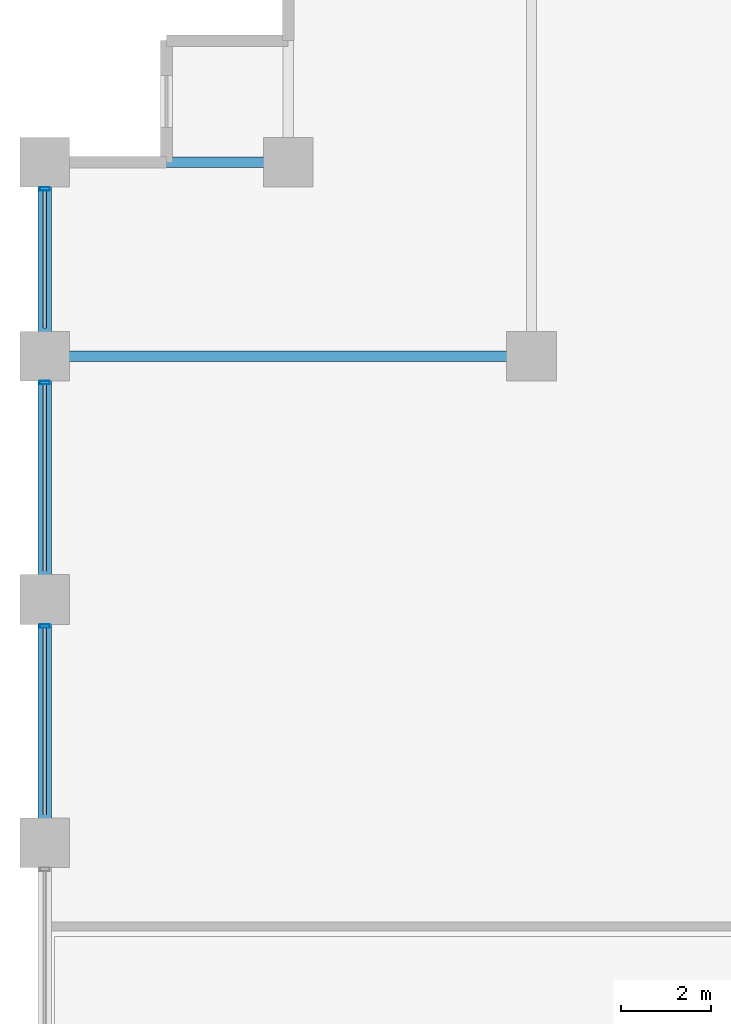
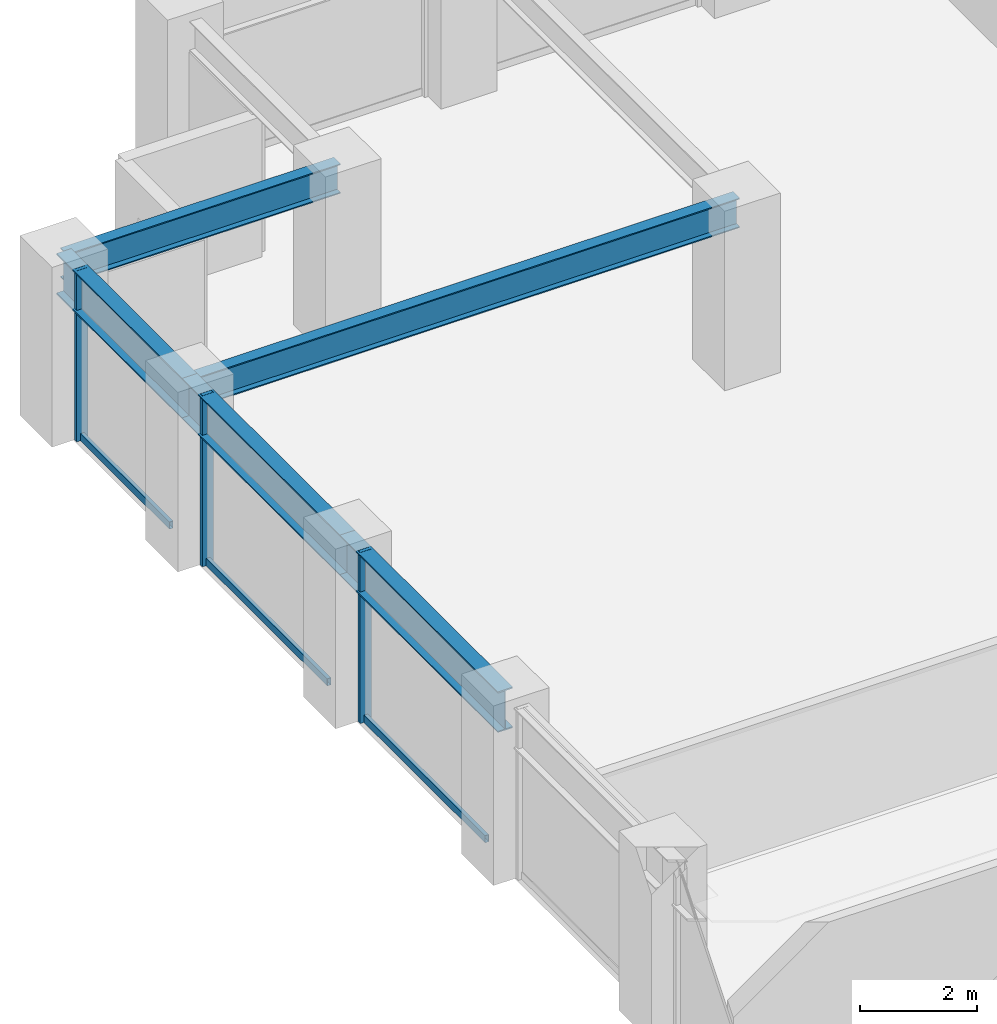
# One storey, part 10 of 25: 6 members, 5 beams, 1 element without a shape of its own.
"""IFC4 building model written with IfcOpenShell, lengths in metres."""

from ifc_helpers import new_model, si_unit, direction, frame, origin, origin_2d, place, context, subcontext, project, spatial, hollow_rectangle, i_section, extrude, material, layer, layer_set, material_profile, profile_set, type_object, element, aggregate, save


model = new_model("IFC4")

# Units and contexts
model_context = context("Model", 3, precision=1e-05, world=origin(), true_north=direction((0.0, 1.0)))
body_context = subcontext(model_context, "Body", "Model", "MODEL_VIEW")
ifc_project = project(units=[si_unit("LENGTHUNIT", "METRE"), si_unit("AREAUNIT", "SQUARE_METRE"), si_unit("VOLUMEUNIT", "CUBIC_METRE"), si_unit("PLANEANGLEUNIT", "RADIAN"), si_unit("MASSUNIT", "GRAM", prefix="KILO")], contexts=[model_context])

# Site, building, storey
site_placement = place(None, origin())
site = spatial("IfcSite", under=ifc_project, at=site_placement, CompositionType="ELEMENT")
building_placement = place(site_placement, origin())
building = spatial("IfcBuilding", under=site, at=building_placement, Name="Surkhivell Harbour Commons", CompositionType="ELEMENT")
storey_placement = place(building_placement, frame((0.0, 0.0, 117.0)))
storey = spatial("IfcBuildingStorey", under=building, at=storey_placement, Name="L30", CompositionType="ELEMENT", Elevation=117.0)

# Beams
ifc_material_1 = material(Name="Steel S355", Category="steel")
ifc_material_profile_1 = material_profile(ifc_material_1, i_section(OverallWidth=0.22998046875, OverallDepth=0.616943359375, WebThickness=0.01318359375, FlangeThickness=0.022216796875, at=origin_2d()), Name="UB610x229x140")
ifc_profile_set_1 = profile_set([ifc_material_profile_1], Name="Steel S355")
beam_type_1 = type_object("IfcBeamType", Name="BM-GRD-610B", PredefinedType="BEAM", material=ifc_profile_set_1)
beam_1_placement = place(storey_placement, frame((-32.39990234375, 16.199951171875, 3.261474609375), z_axis=(1.0, 0.0, 0.0), x_axis=(0.0, 1.0, 0.0)))
element("IfcBeam", 1, at=beam_1_placement, inside=storey, type_object=beam_type_1, Name="L30 Floor Girder (-32.4,16.2)", PredefinedType="BEAM", context=body_context, shape_type="SweptSolid", body=[
    extrude(i_section(OverallWidth=0.22998046875, OverallDepth=0.616943359375, WebThickness=0.01318359375, FlangeThickness=0.022216796875, at=origin_2d()), origin(), (0.0, 0.0, 1.0), 10.7998046875),
])
beam_2_placement = place(storey_placement, frame((-32.39990234375, 20.5, 3.261474609375), z_axis=(1.0, 0.0, 0.0), x_axis=(0.0, 1.0, 0.0)))
element("IfcBeam", 2, at=beam_2_placement, inside=storey, type_object=beam_type_1, Name="L30 Floor Girder (-32.4,20.5)", PredefinedType="BEAM", context=body_context, shape_type="SweptSolid", body=[
    extrude(i_section(OverallWidth=0.22998046875, OverallDepth=0.616943359375, WebThickness=0.01318359375, FlangeThickness=0.022216796875, at=origin_2d()), origin(), (0.0, 0.0, 1.0), 5.39990234375),
])
ifc_material_2 = material(Name="Steel S460", Category="steel")
ifc_material_profile_2 = material_profile(ifc_material_2, i_section(OverallWidth=0.2939453125, OverallDepth=0.85107421875, WebThickness=0.01611328125, FlangeThickness=0.02685546875, at=origin_2d()), Name="UB838x292x226")
ifc_profile_set_2 = profile_set([ifc_material_profile_2], Name="Steel S460")
beam_type_2 = type_object("IfcBeamType", Name="BM-SPN-838", PredefinedType="SPANDREL", material=ifc_profile_set_2)
beam_3_placement = place(storey_placement, frame((-32.39990234375, 5.39990234375, 3.14453125), z_axis=(0.0, 1.0, 0.0), x_axis=(-1.0, 0.0, 0.0)))
element("IfcBeam", 3, at=beam_3_placement, inside=storey, type_object=beam_type_2, Name="L30 Tube Spandrel (-32.4,5.4)", PredefinedType="SPANDREL", context=body_context, shape_type="SweptSolid", body=[
    extrude(i_section(OverallWidth=0.2939453125, OverallDepth=0.85107421875, WebThickness=0.01611328125, FlangeThickness=0.02685546875, at=origin_2d()), origin(), (0.0, 0.0, 1.0), 5.400146484375),
])
beam_4_placement = place(storey_placement, frame((-32.39990234375, 10.800048828125, 3.14453125), z_axis=(0.0, 1.0, 0.0), x_axis=(-1.0, 0.0, 0.0)))
element("IfcBeam", 4, at=beam_4_placement, inside=storey, type_object=beam_type_2, Name="L30 Tube Spandrel (-32.4,10.8)", PredefinedType="SPANDREL", context=body_context, shape_type="SweptSolid", body=[
    extrude(i_section(OverallWidth=0.2939453125, OverallDepth=0.85107421875, WebThickness=0.01611328125, FlangeThickness=0.02685546875, at=origin_2d()), origin(), (0.0, 0.0, 1.0), 5.39990234375),
])
beam_5_placement = place(storey_placement, frame((-32.39990234375, 16.199951171875, 3.14453125), z_axis=(0.0, 1.0, 0.0), x_axis=(-1.0, 0.0, 0.0)))
element("IfcBeam", 5, at=beam_5_placement, inside=storey, type_object=beam_type_2, Name="L30 Tube Spandrel (-32.4,16.2)", PredefinedType="SPANDREL", context=body_context, shape_type="SweptSolid", body=[
    extrude(i_section(OverallWidth=0.2939453125, OverallDepth=0.85107421875, WebThickness=0.01611328125, FlangeThickness=0.02685546875, at=origin_2d()), origin(), (0.0, 0.0, 1.0), 4.300048828125),
])

# Curtain wall, members
ifc_material_3 = material(Name="Anodised pale-metal aluminium and insulated glazing", Category="aluminium")
ifc_layer = layer(ifc_material_3, 0.205078125)
ifc_layer_set = layer_set([ifc_layer], Name="Anodised pale-metal aluminium and insulated glazing")
curtain_wall_type = type_object("IfcCurtainWallType", Name="CW-SYS-Z2", PredefinedType="NOTDEFINED", material=ifc_layer_set)
curtain_wall_placement = place(storey_placement, origin())
curtain_wall = element("IfcCurtainWall", 6, at=curtain_wall_placement, inside=storey, type_object=curtain_wall_type, Name="L30 Curtain Wall CW-L30-E12S1", PredefinedType="NOTDEFINED")
ifc_material_4 = material(Name="Anodised pale-metal aluminium alloy 6063-T6", Category="aluminium")
ifc_material_profile_3 = material_profile(ifc_material_4, hollow_rectangle(XDim=0.074951171875, YDim=0.219970703125, WallThickness=0.00390625, at=origin_2d()), Name="ALU-MULL-75x220")
ifc_profile_set_3 = profile_set([ifc_material_profile_3], Name="Anodised pale-metal aluminium alloy 6063-T6")
member_type_1 = type_object("IfcMemberType", Name="CWM-220", PredefinedType="MULLION", material=ifc_profile_set_3)
member_1_placement = place(storey_placement, frame((-32.39990234375, 19.910400390625, 0.0), z_axis=(0.0, 0.0, 1.0), x_axis=(0.0, -1.0, 0.0)))
member_1 = element("IfcMember", 7, at=member_1_placement, type_object=member_type_1, Name="CW-Z2 mullion 1", PredefinedType="MULLION", context=body_context, shape_type="SweptSolid", body=[
    extrude(hollow_rectangle(XDim=0.074951171875, YDim=0.219970703125, WallThickness=0.00390625, at=origin_2d()), origin(), (0.0, 0.0, 1.0), 3.570068359375),
])
member_2_placement = place(storey_placement, frame((-32.39990234375, 15.610595703125, 0.0), z_axis=(0.0, 0.0, 1.0), x_axis=(0.0, -1.0, 0.0)))
member_2 = element("IfcMember", 8, at=member_2_placement, type_object=member_type_1, Name="CW-Z2 mullion 2", PredefinedType="MULLION", context=body_context, shape_type="SweptSolid", body=[
    extrude(hollow_rectangle(XDim=0.074951171875, YDim=0.219970703125, WallThickness=0.00390625, at=origin_2d()), origin(), (0.0, 0.0, 1.0), 3.570068359375),
])
member_3_placement = place(storey_placement, frame((-32.39990234375, 10.21044921875, 0.0), z_axis=(0.0, 0.0, 1.0), x_axis=(0.0, -1.0, 0.0)))
member_3 = element("IfcMember", 9, at=member_3_placement, type_object=member_type_1, Name="CW-Z2 mullion 3", PredefinedType="MULLION", context=body_context, shape_type="SweptSolid", body=[
    extrude(hollow_rectangle(XDim=0.074951171875, YDim=0.219970703125, WallThickness=0.00390625, at=origin_2d()), origin(), (0.0, 0.0, 1.0), 3.570068359375),
])
ifc_material_profile_4 = material_profile(ifc_material_4, hollow_rectangle(XDim=0.074951171875, YDim=0.14990234375, WallThickness=0.00341796875, at=origin_2d()), Name="ALU-TRAN-75x150")
ifc_profile_set_4 = profile_set([ifc_material_profile_4], Name="Anodised pale-metal aluminium alloy 6063-T6")
member_type_2 = type_object("IfcMemberType", Name="CWT-150", PredefinedType="USERDEFINED", material=ifc_profile_set_4)
member_4_placement = place(storey_placement, frame((-32.39990234375, 19.873046875, 0.074951171875), z_axis=(0.0, -1.0, 0.0), x_axis=(1.0, 0.0, 0.0)))
member_4 = element("IfcMember", 10, at=member_4_placement, type_object=member_type_2, Name="CW-Z2 transom 1.1", ObjectType="TRANSOM", PredefinedType="USERDEFINED", context=body_context, shape_type="SweptSolid", body=[
    extrude(hollow_rectangle(XDim=0.074951171875, YDim=0.14990234375, WallThickness=0.00341796875, at=origin_2d()), origin(), (0.0, 0.0, 1.0), 3.046142578125),
])
member_5_placement = place(storey_placement, frame((-32.39990234375, 15.572998046875, 0.074951171875), z_axis=(0.0, -1.0, 0.0), x_axis=(1.0, 0.0, 0.0)))
member_5 = element("IfcMember", 11, at=member_5_placement, type_object=member_type_2, Name="CW-Z2 transom 2.1", ObjectType="TRANSOM", PredefinedType="USERDEFINED", context=body_context, shape_type="SweptSolid", body=[
    extrude(hollow_rectangle(XDim=0.074951171875, YDim=0.14990234375, WallThickness=0.00341796875, at=origin_2d()), origin(), (0.0, 0.0, 1.0), 4.14599609375),
])
member_6_placement = place(storey_placement, frame((-32.39990234375, 10.173095703125, 0.074951171875), z_axis=(0.0, -1.0, 0.0), x_axis=(1.0, 0.0, 0.0)))
member_6 = element("IfcMember", 12, at=member_6_placement, type_object=member_type_2, Name="CW-Z2 transom 3.1", ObjectType="TRANSOM", PredefinedType="USERDEFINED", context=body_context, shape_type="SweptSolid", body=[
    extrude(hollow_rectangle(XDim=0.074951171875, YDim=0.14990234375, WallThickness=0.00341796875, at=origin_2d()), origin(), (0.0, 0.0, 1.0), 4.14599609375),
])
aggregate(curtain_wall, [member_1, member_4, member_2, member_5, member_3, member_6])

save(model, "model.ifc")
